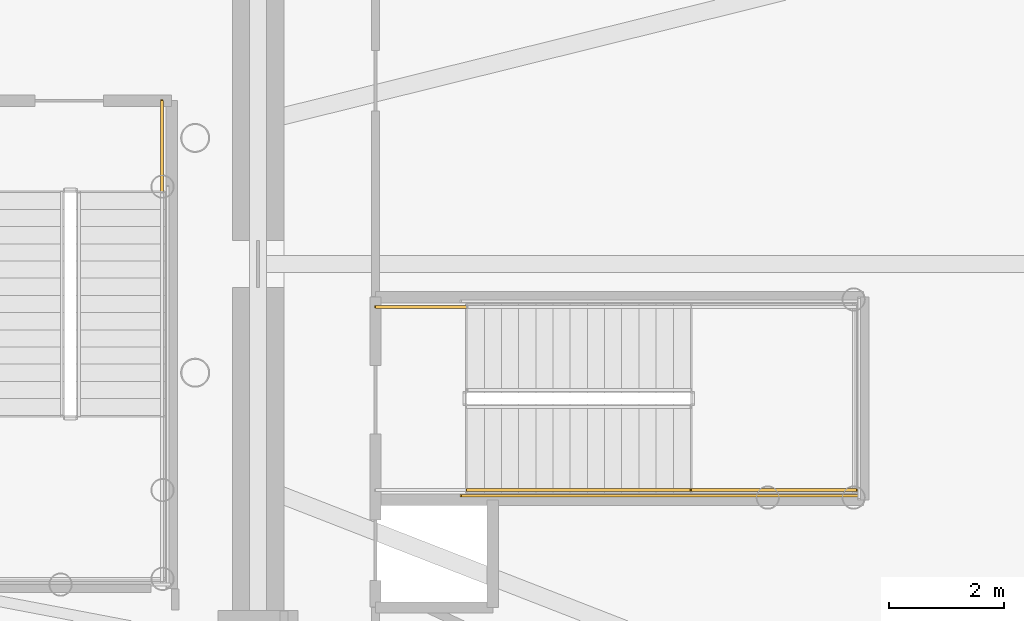
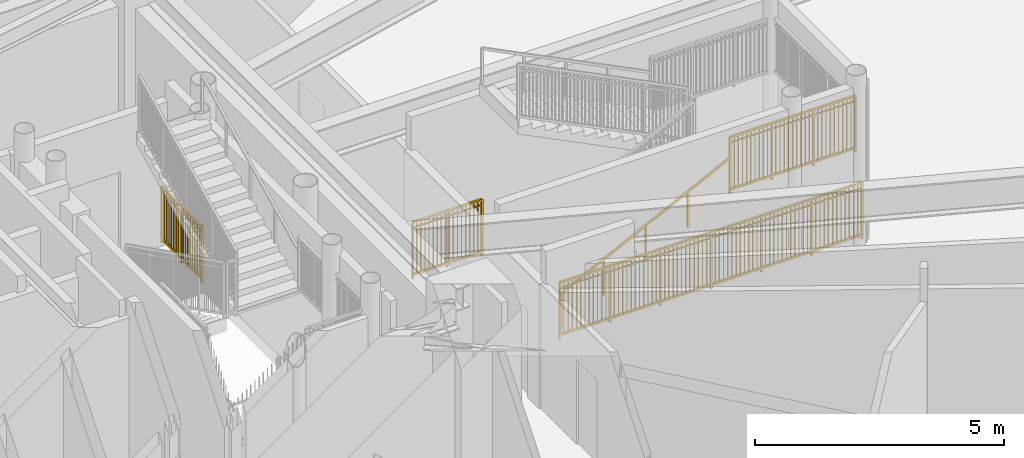
# One storey, part 25 of 27: 5 railings.
"""IFC4 building model written with IfcOpenShell, lengths in metres."""

from ifc_helpers import new_model, si_unit, direction, frame, origin, origin_2d, place, context, subcontext, project, spatial, rectangle, extrude, source, transform, mapped, material, type_object, element, save


model = new_model("IFC4")

# Units and contexts
model_context = context("Model", 3, precision=1e-05, world=origin(), true_north=direction((0.0, 1.0)))
body_context = subcontext(model_context, "Body", "Model", "MODEL_VIEW")
ifc_project = project(units=[si_unit("LENGTHUNIT", "METRE"), si_unit("AREAUNIT", "SQUARE_METRE"), si_unit("VOLUMEUNIT", "CUBIC_METRE"), si_unit("PLANEANGLEUNIT", "RADIAN"), si_unit("MASSUNIT", "GRAM", prefix="KILO")], contexts=[model_context])

# Site, building, storey
site_placement = place(None, origin())
site = spatial("IfcSite", under=ifc_project, at=site_placement, CompositionType="ELEMENT")
building_placement = place(site_placement, origin())
building = spatial("IfcBuilding", under=site, at=building_placement, Name="Linh Dai School and Residence Tower", CompositionType="ELEMENT")
storey_placement = place(building_placement, frame((0.0, 0.0, 18.60009765625)))
storey = spatial("IfcBuildingStorey", under=building, at=storey_placement, Name="L04", CompositionType="ELEMENT", Elevation=18.60009765625)

# Railings
ifc_material_1 = material(Name="Structural Steel S355JR", Category="steel")
railing_type_1 = type_object("IfcRailingType", Name="RL-ST-GUARD-1400", PredefinedType="GUARDRAIL", material=ifc_material_1)
shared_shape_1 = source(origin(), body_context, "Body", "SweptSolid", [
    extrude(rectangle(XDim=0.048095703125, YDim=0.048095703125, at=origin_2d()), frame((0.0, 0.0, 1.3759765625), z_axis=(0.0, -1.0, 0.0), x_axis=(1.0, 0.0, 0.0)), (0.0, 0.0, 1.0), 1.60009765625),
    extrude(rectangle(XDim=0.048095703125, YDim=0.048095703125, at=origin_2d()), frame((0.0, 0.0, 0.10009765625), z_axis=(0.0, -1.0, 0.0), x_axis=(1.0, 0.0, 0.0)), (0.0, 0.0, 1.0), 1.60009765625),
    extrude(rectangle(XDim=0.030029296875, YDim=0.030029296875, at=origin_2d()), frame((0.0, 0.0, 1.239990234375), z_axis=(0.0, -1.0, 0.0), x_axis=(1.0, 0.0, 0.0)), (0.0, 0.0, 1.0), 1.60009765625),
    extrude(rectangle(XDim=0.02001953125, YDim=0.02001953125, at=origin_2d()), frame((0.0, -0.09423828125, 0.10009765625)), (0.0, 0.0, 1.0), 1.251708984375),
    extrude(rectangle(XDim=0.02001953125, YDim=0.02001953125, at=origin_2d()), frame((0.0, -0.188232421875, 0.10009765625)), (0.0, 0.0, 1.0), 1.251708984375),
    extrude(rectangle(XDim=0.02001953125, YDim=0.02001953125, at=origin_2d()), frame((0.0, -0.282470703125, 0.10009765625)), (0.0, 0.0, 1.0), 1.251708984375),
    extrude(rectangle(XDim=0.02001953125, YDim=0.02001953125, at=origin_2d()), frame((0.0, -0.37646484375, 0.10009765625)), (0.0, 0.0, 1.0), 1.251708984375),
    extrude(rectangle(XDim=0.02001953125, YDim=0.02001953125, at=origin_2d()), frame((0.0, -0.470703125, 0.10009765625)), (0.0, 0.0, 1.0), 1.251708984375),
    extrude(rectangle(XDim=0.02001953125, YDim=0.02001953125, at=origin_2d()), frame((0.0, -0.564697265625, 0.10009765625)), (0.0, 0.0, 1.0), 1.251708984375),
    extrude(rectangle(XDim=0.02001953125, YDim=0.02001953125, at=origin_2d()), frame((0.0, -0.658935546875, 0.10009765625)), (0.0, 0.0, 1.0), 1.251708984375),
    extrude(rectangle(XDim=0.02001953125, YDim=0.02001953125, at=origin_2d()), frame((0.0, -0.7529296875, 0.10009765625)), (0.0, 0.0, 1.0), 1.251708984375),
    extrude(rectangle(XDim=0.02001953125, YDim=0.02001953125, at=origin_2d()), frame((0.0, -0.84716796875, 0.10009765625)), (0.0, 0.0, 1.0), 1.251708984375),
    extrude(rectangle(XDim=0.02001953125, YDim=0.02001953125, at=origin_2d()), frame((0.0, -0.941162109375, 0.10009765625)), (0.0, 0.0, 1.0), 1.251708984375),
    extrude(rectangle(XDim=0.02001953125, YDim=0.02001953125, at=origin_2d()), frame((0.0, -1.035400390625, 0.10009765625)), (0.0, 0.0, 1.0), 1.251708984375),
    extrude(rectangle(XDim=0.02001953125, YDim=0.02001953125, at=origin_2d()), frame((0.0, -1.12939453125, 0.10009765625)), (0.0, 0.0, 1.0), 1.251708984375),
    extrude(rectangle(XDim=0.02001953125, YDim=0.02001953125, at=origin_2d()), frame((0.0, -1.2236328125, 0.10009765625)), (0.0, 0.0, 1.0), 1.251708984375),
    extrude(rectangle(XDim=0.02001953125, YDim=0.02001953125, at=origin_2d()), frame((0.0, -1.317626953125, 0.10009765625)), (0.0, 0.0, 1.0), 1.251708984375),
    extrude(rectangle(XDim=0.02001953125, YDim=0.02001953125, at=origin_2d()), frame((0.0, -1.411865234375, 0.10009765625)), (0.0, 0.0, 1.0), 1.251708984375),
    extrude(rectangle(XDim=0.02001953125, YDim=0.02001953125, at=origin_2d()), frame((0.0, -1.505859375, 0.10009765625)), (0.0, 0.0, 1.0), 1.251708984375),
    extrude(rectangle(XDim=0.0419921875, YDim=0.0419921875, at=origin_2d()), origin(), (0.0, 0.0, 1.0), 1.3759765625),
    extrude(rectangle(XDim=0.0419921875, YDim=0.0419921875, at=origin_2d()), frame((0.0, -0.800048828125, 0.0)), (0.0, 0.0, 1.0), 1.3759765625),
    extrude(rectangle(XDim=0.0419921875, YDim=0.0419921875, at=origin_2d()), frame((0.0, -1.60009765625, 0.0)), (0.0, 0.0, 1.0), 1.3759765625),
])
railing_1_placement = place(storey_placement, frame((44.27001953125, 29.85009765625, 0.0)))
element("IfcRailing", 1, at=railing_1_placement, inside=storey, type_object=railing_type_1, Name="L04 ST2 stair guard 9", PredefinedType="GUARDRAIL", context=body_context, shape_type="MappedRepresentation", body=[
    mapped(shared_shape_1, transform((0.0, 0.0, 0.0), x_axis=(1.0, 0.0, 0.0), y_axis=(0.0, 1.0, 0.0), z_axis=(0.0, 0.0, 1.0), scale=1.0)),
])
ifc_material_2 = material(Name="Brushed Stainless Steel Handrail", Category="steel")
railing_type_2 = type_object("IfcRailingType", Name="RL-ST-HANDRAIL-900", PredefinedType="HANDRAIL", material=ifc_material_2)
shared_shape_2 = source(origin(), body_context, "Body", "SweptSolid", [
    extrude(rectangle(XDim=0.048095703125, YDim=0.048095703125, at=origin_2d()), frame((0.0, 0.0, 0.8759765625), z_axis=(0.894427191, 0.0, 0.4472135955), x_axis=(0.0, 1.0, 0.0)), (0.0, 0.0, 1.0), 4.360107421875),
    extrude(rectangle(XDim=0.0419921875, YDim=0.0419921875, at=origin_2d()), origin(), (0.0, 0.0, 1.0), 0.8759765625),
    extrude(rectangle(XDim=0.0419921875, YDim=0.0419921875, at=origin_2d()), frame((0.97509765625, 0.0, 0.487548828125)), (0.0, 0.0, 1.0), 0.8759765625),
    extrude(rectangle(XDim=0.0419921875, YDim=0.0419921875, at=origin_2d()), frame((1.949951171875, 0.0, 0.97509765625)), (0.0, 0.0, 1.0), 0.8759765625),
    extrude(rectangle(XDim=0.0419921875, YDim=0.0419921875, at=origin_2d()), frame((2.9248046875, 0.0, 1.46240234375)), (0.0, 0.0, 1.0), 0.8759765625),
    extrude(rectangle(XDim=0.0419921875, YDim=0.0419921875, at=origin_2d()), frame((3.89990234375, 0.0, 1.949951171875)), (0.0, 0.0, 1.0), 0.8759765625),
])
railing_2_placement = place(storey_placement, frame((49.60009765625, 23.050048828125, 0.14990234375)))
element("IfcRailing", 2, at=railing_2_placement, inside=storey, type_object=railing_type_2, Name="L04 STS2 stair handrail 1", PredefinedType="HANDRAIL", context=body_context, shape_type="MappedRepresentation", body=[
    mapped(shared_shape_2, transform((0.0, 0.0, 0.0), x_axis=(1.0, 0.0, 0.0), y_axis=(0.0, 1.0, 0.0), z_axis=(0.0, 0.0, 1.0), scale=1.0)),
])
shared_shape_3 = source(origin(), body_context, "Body", "SweptSolid", [
    extrude(rectangle(XDim=0.048095703125, YDim=0.048095703125, at=origin_2d()), frame((0.0, 0.0, 1.3759765625), z_axis=(1.0, 0.0, 0.0), x_axis=(0.0, 1.0, 0.0)), (0.0, 0.0, 1.0), 1.60009765625),
    extrude(rectangle(XDim=0.048095703125, YDim=0.048095703125, at=origin_2d()), frame((0.0, 0.0, 0.10009765625), z_axis=(1.0, 0.0, 0.0), x_axis=(0.0, 1.0, 0.0)), (0.0, 0.0, 1.0), 1.60009765625),
    extrude(rectangle(XDim=0.030029296875, YDim=0.030029296875, at=origin_2d()), frame((0.0, 0.0, 1.239990234375), z_axis=(1.0, 0.0, 0.0), x_axis=(0.0, 1.0, 0.0)), (0.0, 0.0, 1.0), 1.60009765625),
    extrude(rectangle(XDim=0.02001953125, YDim=0.02001953125, at=origin_2d()), frame((0.09423828125, 0.0, 0.10009765625)), (0.0, 0.0, 1.0), 1.251708984375),
    extrude(rectangle(XDim=0.02001953125, YDim=0.02001953125, at=origin_2d()), frame((0.188232421875, 0.0, 0.10009765625)), (0.0, 0.0, 1.0), 1.251708984375),
    extrude(rectangle(XDim=0.02001953125, YDim=0.02001953125, at=origin_2d()), frame((0.282470703125, 0.0, 0.10009765625)), (0.0, 0.0, 1.0), 1.251708984375),
    extrude(rectangle(XDim=0.02001953125, YDim=0.02001953125, at=origin_2d()), frame((0.37646484375, 0.0, 0.10009765625)), (0.0, 0.0, 1.0), 1.251708984375),
    extrude(rectangle(XDim=0.02001953125, YDim=0.02001953125, at=origin_2d()), frame((0.470703125, 0.0, 0.10009765625)), (0.0, 0.0, 1.0), 1.251708984375),
    extrude(rectangle(XDim=0.02001953125, YDim=0.02001953125, at=origin_2d()), frame((0.564697265625, 0.0, 0.10009765625)), (0.0, 0.0, 1.0), 1.251708984375),
    extrude(rectangle(XDim=0.02001953125, YDim=0.02001953125, at=origin_2d()), frame((0.658935546875, 0.0, 0.10009765625)), (0.0, 0.0, 1.0), 1.251708984375),
    extrude(rectangle(XDim=0.02001953125, YDim=0.02001953125, at=origin_2d()), frame((0.7529296875, 0.0, 0.10009765625)), (0.0, 0.0, 1.0), 1.251708984375),
    extrude(rectangle(XDim=0.02001953125, YDim=0.02001953125, at=origin_2d()), frame((0.84716796875, 0.0, 0.10009765625)), (0.0, 0.0, 1.0), 1.251708984375),
    extrude(rectangle(XDim=0.02001953125, YDim=0.02001953125, at=origin_2d()), frame((0.941162109375, 0.0, 0.10009765625)), (0.0, 0.0, 1.0), 1.251708984375),
    extrude(rectangle(XDim=0.02001953125, YDim=0.02001953125, at=origin_2d()), frame((1.035400390625, 0.0, 0.10009765625)), (0.0, 0.0, 1.0), 1.251708984375),
    extrude(rectangle(XDim=0.02001953125, YDim=0.02001953125, at=origin_2d()), frame((1.12939453125, 0.0, 0.10009765625)), (0.0, 0.0, 1.0), 1.251708984375),
    extrude(rectangle(XDim=0.02001953125, YDim=0.02001953125, at=origin_2d()), frame((1.2236328125, 0.0, 0.10009765625)), (0.0, 0.0, 1.0), 1.251708984375),
    extrude(rectangle(XDim=0.02001953125, YDim=0.02001953125, at=origin_2d()), frame((1.317626953125, 0.0, 0.10009765625)), (0.0, 0.0, 1.0), 1.251708984375),
    extrude(rectangle(XDim=0.02001953125, YDim=0.02001953125, at=origin_2d()), frame((1.411865234375, 0.0, 0.10009765625)), (0.0, 0.0, 1.0), 1.251708984375),
    extrude(rectangle(XDim=0.02001953125, YDim=0.02001953125, at=origin_2d()), frame((1.505859375, 0.0, 0.10009765625)), (0.0, 0.0, 1.0), 1.251708984375),
    extrude(rectangle(XDim=0.0419921875, YDim=0.0419921875, at=origin_2d()), origin(), (0.0, 0.0, 1.0), 1.3759765625),
    extrude(rectangle(XDim=0.0419921875, YDim=0.0419921875, at=origin_2d()), frame((0.800048828125, 0.0, 0.0)), (0.0, 0.0, 1.0), 1.3759765625),
    extrude(rectangle(XDim=0.0419921875, YDim=0.0419921875, at=origin_2d()), frame((1.60009765625, 0.0, 0.0)), (0.0, 0.0, 1.0), 1.3759765625),
])
railing_3_placement = place(storey_placement, frame((48.0, 26.25, 0.0)))
element("IfcRailing", 3, at=railing_3_placement, inside=storey, type_object=railing_type_1, Name="L04 STS2 stair guard 9", PredefinedType="GUARDRAIL", context=body_context, shape_type="MappedRepresentation", body=[
    mapped(shared_shape_3, transform((0.0, 0.0, 0.0), x_axis=(1.0, 0.0, 0.0), y_axis=(0.0, 1.0, 0.0), z_axis=(0.0, 0.0, 1.0), scale=1.0)),
])
shared_shape_4 = source(origin(), body_context, "Body", "SweptSolid", [
    extrude(rectangle(XDim=0.048095703125, YDim=0.048095703125, at=origin_2d()), frame((0.0, 0.0, 1.3759765625), z_axis=(1.0, 0.0, 0.0), x_axis=(0.0, 1.0, 0.0)), (0.0, 0.0, 1.0), 2.89990234375),
    extrude(rectangle(XDim=0.048095703125, YDim=0.048095703125, at=origin_2d()), frame((0.0, 0.0, 0.10009765625), z_axis=(1.0, 0.0, 0.0), x_axis=(0.0, 1.0, 0.0)), (0.0, 0.0, 1.0), 2.89990234375),
    extrude(rectangle(XDim=0.030029296875, YDim=0.030029296875, at=origin_2d()), frame((0.0, 0.0, 1.239990234375), z_axis=(1.0, 0.0, 0.0), x_axis=(0.0, 1.0, 0.0)), (0.0, 0.0, 1.0), 2.89990234375),
    extrude(rectangle(XDim=0.02001953125, YDim=0.02001953125, at=origin_2d()), frame((0.0966796875, 0.0, 0.10009765625)), (0.0, 0.0, 1.0), 1.251708984375),
    extrude(rectangle(XDim=0.02001953125, YDim=0.02001953125, at=origin_2d()), frame((0.193359375, 0.0, 0.10009765625)), (0.0, 0.0, 1.0), 1.251708984375),
    extrude(rectangle(XDim=0.02001953125, YDim=0.02001953125, at=origin_2d()), frame((0.2900390625, 0.0, 0.10009765625)), (0.0, 0.0, 1.0), 1.251708984375),
    extrude(rectangle(XDim=0.02001953125, YDim=0.02001953125, at=origin_2d()), frame((0.38671875, 0.0, 0.10009765625)), (0.0, 0.0, 1.0), 1.251708984375),
    extrude(rectangle(XDim=0.02001953125, YDim=0.02001953125, at=origin_2d()), frame((0.4833984375, 0.0, 0.10009765625)), (0.0, 0.0, 1.0), 1.251708984375),
    extrude(rectangle(XDim=0.02001953125, YDim=0.02001953125, at=origin_2d()), frame((0.580078125, 0.0, 0.10009765625)), (0.0, 0.0, 1.0), 1.251708984375),
    extrude(rectangle(XDim=0.02001953125, YDim=0.02001953125, at=origin_2d()), frame((0.6767578125, 0.0, 0.10009765625)), (0.0, 0.0, 1.0), 1.251708984375),
    extrude(rectangle(XDim=0.02001953125, YDim=0.02001953125, at=origin_2d()), frame((0.773193359375, 0.0, 0.10009765625)), (0.0, 0.0, 1.0), 1.251708984375),
    extrude(rectangle(XDim=0.02001953125, YDim=0.02001953125, at=origin_2d()), frame((0.869873046875, 0.0, 0.10009765625)), (0.0, 0.0, 1.0), 1.251708984375),
    extrude(rectangle(XDim=0.02001953125, YDim=0.02001953125, at=origin_2d()), frame((1.063232421875, 0.0, 0.10009765625)), (0.0, 0.0, 1.0), 1.251708984375),
    extrude(rectangle(XDim=0.02001953125, YDim=0.02001953125, at=origin_2d()), frame((1.159912109375, 0.0, 0.10009765625)), (0.0, 0.0, 1.0), 1.251708984375),
    extrude(rectangle(XDim=0.02001953125, YDim=0.02001953125, at=origin_2d()), frame((1.256591796875, 0.0, 0.10009765625)), (0.0, 0.0, 1.0), 1.251708984375),
    extrude(rectangle(XDim=0.02001953125, YDim=0.02001953125, at=origin_2d()), frame((1.353271484375, 0.0, 0.10009765625)), (0.0, 0.0, 1.0), 1.251708984375),
    extrude(rectangle(XDim=0.02001953125, YDim=0.02001953125, at=origin_2d()), frame((1.449951171875, 0.0, 0.10009765625)), (0.0, 0.0, 1.0), 1.251708984375),
    extrude(rectangle(XDim=0.02001953125, YDim=0.02001953125, at=origin_2d()), frame((1.546630859375, 0.0, 0.10009765625)), (0.0, 0.0, 1.0), 1.251708984375),
    extrude(rectangle(XDim=0.02001953125, YDim=0.02001953125, at=origin_2d()), frame((1.643310546875, 0.0, 0.10009765625)), (0.0, 0.0, 1.0), 1.251708984375),
    extrude(rectangle(XDim=0.02001953125, YDim=0.02001953125, at=origin_2d()), frame((1.739990234375, 0.0, 0.10009765625)), (0.0, 0.0, 1.0), 1.251708984375),
    extrude(rectangle(XDim=0.02001953125, YDim=0.02001953125, at=origin_2d()), frame((1.836669921875, 0.0, 0.10009765625)), (0.0, 0.0, 1.0), 1.251708984375),
    extrude(rectangle(XDim=0.02001953125, YDim=0.02001953125, at=origin_2d()), frame((2.030029296875, 0.0, 0.10009765625)), (0.0, 0.0, 1.0), 1.251708984375),
    extrude(rectangle(XDim=0.02001953125, YDim=0.02001953125, at=origin_2d()), frame((2.126708984375, 0.0, 0.10009765625)), (0.0, 0.0, 1.0), 1.251708984375),
    extrude(rectangle(XDim=0.02001953125, YDim=0.02001953125, at=origin_2d()), frame((2.22314453125, 0.0, 0.10009765625)), (0.0, 0.0, 1.0), 1.251708984375),
    extrude(rectangle(XDim=0.02001953125, YDim=0.02001953125, at=origin_2d()), frame((2.31982421875, 0.0, 0.10009765625)), (0.0, 0.0, 1.0), 1.251708984375),
    extrude(rectangle(XDim=0.02001953125, YDim=0.02001953125, at=origin_2d()), frame((2.41650390625, 0.0, 0.10009765625)), (0.0, 0.0, 1.0), 1.251708984375),
    extrude(rectangle(XDim=0.02001953125, YDim=0.02001953125, at=origin_2d()), frame((2.51318359375, 0.0, 0.10009765625)), (0.0, 0.0, 1.0), 1.251708984375),
    extrude(rectangle(XDim=0.02001953125, YDim=0.02001953125, at=origin_2d()), frame((2.60986328125, 0.0, 0.10009765625)), (0.0, 0.0, 1.0), 1.251708984375),
    extrude(rectangle(XDim=0.02001953125, YDim=0.02001953125, at=origin_2d()), frame((2.70654296875, 0.0, 0.10009765625)), (0.0, 0.0, 1.0), 1.251708984375),
    extrude(rectangle(XDim=0.02001953125, YDim=0.02001953125, at=origin_2d()), frame((2.80322265625, 0.0, 0.10009765625)), (0.0, 0.0, 1.0), 1.251708984375),
    extrude(rectangle(XDim=0.0419921875, YDim=0.0419921875, at=origin_2d()), origin(), (0.0, 0.0, 1.0), 1.3759765625),
    extrude(rectangle(XDim=0.0419921875, YDim=0.0419921875, at=origin_2d()), frame((0.966552734375, 0.0, 0.0)), (0.0, 0.0, 1.0), 1.3759765625),
    extrude(rectangle(XDim=0.0419921875, YDim=0.0419921875, at=origin_2d()), frame((1.933349609375, 0.0, 0.0)), (0.0, 0.0, 1.0), 1.3759765625),
    extrude(rectangle(XDim=0.0419921875, YDim=0.0419921875, at=origin_2d()), frame((2.89990234375, 0.0, 0.0)), (0.0, 0.0, 1.0), 1.3759765625),
])
railing_4_placement = place(storey_placement, frame((53.5, 23.050048828125, 2.099853515625)))
element("IfcRailing", 4, at=railing_4_placement, inside=storey, type_object=railing_type_1, Name="L04 STS2 stair guard 3", PredefinedType="GUARDRAIL", context=body_context, shape_type="MappedRepresentation", body=[
    mapped(shared_shape_4, transform((0.0, 0.0, 0.0), x_axis=(1.0, 0.0, 0.0), y_axis=(0.0, 1.0, 0.0), z_axis=(0.0, 0.0, 1.0), scale=1.0)),
])
shared_shape_5 = source(origin(), body_context, "Body", "SweptSolid", [
    extrude(rectangle(XDim=0.048095703125, YDim=0.048095703125, at=origin_2d()), frame((0.0, 0.0, 1.3759765625), z_axis=(1.0, 0.0, 0.0), x_axis=(0.0, 1.0, 0.0)), (0.0, 0.0, 1.0), 7.0),
    extrude(rectangle(XDim=0.048095703125, YDim=0.048095703125, at=origin_2d()), frame((0.0, 0.0, 0.10009765625), z_axis=(1.0, 0.0, 0.0), x_axis=(0.0, 1.0, 0.0)), (0.0, 0.0, 1.0), 7.0),
    extrude(rectangle(XDim=0.030029296875, YDim=0.030029296875, at=origin_2d()), frame((0.0, 0.0, 1.239990234375), z_axis=(1.0, 0.0, 0.0), x_axis=(0.0, 1.0, 0.0)), (0.0, 0.0, 1.0), 7.0),
    extrude(rectangle(XDim=0.02001953125, YDim=0.02001953125, at=origin_2d()), frame((0.09716796875, 0.0, 0.10009765625)), (0.0, 0.0, 1.0), 1.251708984375),
    extrude(rectangle(XDim=0.02001953125, YDim=0.02001953125, at=origin_2d()), frame((0.1943359375, 0.0, 0.10009765625)), (0.0, 0.0, 1.0), 1.251708984375),
    extrude(rectangle(XDim=0.02001953125, YDim=0.02001953125, at=origin_2d()), frame((0.291748046875, 0.0, 0.10009765625)), (0.0, 0.0, 1.0), 1.251708984375),
    extrude(rectangle(XDim=0.02001953125, YDim=0.02001953125, at=origin_2d()), frame((0.388916015625, 0.0, 0.10009765625)), (0.0, 0.0, 1.0), 1.251708984375),
    extrude(rectangle(XDim=0.02001953125, YDim=0.02001953125, at=origin_2d()), frame((0.486083984375, 0.0, 0.10009765625)), (0.0, 0.0, 1.0), 1.251708984375),
    extrude(rectangle(XDim=0.02001953125, YDim=0.02001953125, at=origin_2d()), frame((0.583251953125, 0.0, 0.10009765625)), (0.0, 0.0, 1.0), 1.251708984375),
    extrude(rectangle(XDim=0.02001953125, YDim=0.02001953125, at=origin_2d()), frame((0.6806640625, 0.0, 0.10009765625)), (0.0, 0.0, 1.0), 1.251708984375),
    extrude(rectangle(XDim=0.02001953125, YDim=0.02001953125, at=origin_2d()), frame((0.77783203125, 0.0, 0.10009765625)), (0.0, 0.0, 1.0), 1.251708984375),
    extrude(rectangle(XDim=0.02001953125, YDim=0.02001953125, at=origin_2d()), frame((0.875, 0.0, 0.10009765625)), (0.0, 0.0, 1.0), 1.251708984375),
    extrude(rectangle(XDim=0.02001953125, YDim=0.02001953125, at=origin_2d()), frame((0.97216796875, 0.0, 0.10009765625)), (0.0, 0.0, 1.0), 1.251708984375),
    extrude(rectangle(XDim=0.02001953125, YDim=0.02001953125, at=origin_2d()), frame((1.0693359375, 0.0, 0.10009765625)), (0.0, 0.0, 1.0), 1.251708984375),
    extrude(rectangle(XDim=0.02001953125, YDim=0.02001953125, at=origin_2d()), frame((1.263916015625, 0.0, 0.10009765625)), (0.0, 0.0, 1.0), 1.251708984375),
    extrude(rectangle(XDim=0.02001953125, YDim=0.02001953125, at=origin_2d()), frame((1.361083984375, 0.0, 0.10009765625)), (0.0, 0.0, 1.0), 1.251708984375),
    extrude(rectangle(XDim=0.02001953125, YDim=0.02001953125, at=origin_2d()), frame((1.458251953125, 0.0, 0.10009765625)), (0.0, 0.0, 1.0), 1.251708984375),
    extrude(rectangle(XDim=0.02001953125, YDim=0.02001953125, at=origin_2d()), frame((1.5556640625, 0.0, 0.10009765625)), (0.0, 0.0, 1.0), 1.251708984375),
    extrude(rectangle(XDim=0.02001953125, YDim=0.02001953125, at=origin_2d()), frame((1.65283203125, 0.0, 0.10009765625)), (0.0, 0.0, 1.0), 1.251708984375),
    extrude(rectangle(XDim=0.02001953125, YDim=0.02001953125, at=origin_2d()), frame((1.75, 0.0, 0.10009765625)), (0.0, 0.0, 1.0), 1.251708984375),
    extrude(rectangle(XDim=0.02001953125, YDim=0.02001953125, at=origin_2d()), frame((1.84716796875, 0.0, 0.10009765625)), (0.0, 0.0, 1.0), 1.251708984375),
    extrude(rectangle(XDim=0.02001953125, YDim=0.02001953125, at=origin_2d()), frame((1.9443359375, 0.0, 0.10009765625)), (0.0, 0.0, 1.0), 1.251708984375),
    extrude(rectangle(XDim=0.02001953125, YDim=0.02001953125, at=origin_2d()), frame((2.041748046875, 0.0, 0.10009765625)), (0.0, 0.0, 1.0), 1.251708984375),
    extrude(rectangle(XDim=0.02001953125, YDim=0.02001953125, at=origin_2d()), frame((2.138916015625, 0.0, 0.10009765625)), (0.0, 0.0, 1.0), 1.251708984375),
    extrude(rectangle(XDim=0.02001953125, YDim=0.02001953125, at=origin_2d()), frame((2.236083984375, 0.0, 0.10009765625)), (0.0, 0.0, 1.0), 1.251708984375),
    extrude(rectangle(XDim=0.02001953125, YDim=0.02001953125, at=origin_2d()), frame((2.4306640625, 0.0, 0.10009765625)), (0.0, 0.0, 1.0), 1.251708984375),
    extrude(rectangle(XDim=0.02001953125, YDim=0.02001953125, at=origin_2d()), frame((2.52783203125, 0.0, 0.10009765625)), (0.0, 0.0, 1.0), 1.251708984375),
    extrude(rectangle(XDim=0.02001953125, YDim=0.02001953125, at=origin_2d()), frame((2.625, 0.0, 0.10009765625)), (0.0, 0.0, 1.0), 1.251708984375),
    extrude(rectangle(XDim=0.02001953125, YDim=0.02001953125, at=origin_2d()), frame((2.72216796875, 0.0, 0.10009765625)), (0.0, 0.0, 1.0), 1.251708984375),
    extrude(rectangle(XDim=0.02001953125, YDim=0.02001953125, at=origin_2d()), frame((2.8193359375, 0.0, 0.10009765625)), (0.0, 0.0, 1.0), 1.251708984375),
    extrude(rectangle(XDim=0.02001953125, YDim=0.02001953125, at=origin_2d()), frame((2.916748046875, 0.0, 0.10009765625)), (0.0, 0.0, 1.0), 1.251708984375),
    extrude(rectangle(XDim=0.02001953125, YDim=0.02001953125, at=origin_2d()), frame((3.013916015625, 0.0, 0.10009765625)), (0.0, 0.0, 1.0), 1.251708984375),
    extrude(rectangle(XDim=0.02001953125, YDim=0.02001953125, at=origin_2d()), frame((3.111083984375, 0.0, 0.10009765625)), (0.0, 0.0, 1.0), 1.251708984375),
    extrude(rectangle(XDim=0.02001953125, YDim=0.02001953125, at=origin_2d()), frame((3.208251953125, 0.0, 0.10009765625)), (0.0, 0.0, 1.0), 1.251708984375),
    extrude(rectangle(XDim=0.02001953125, YDim=0.02001953125, at=origin_2d()), frame((3.3056640625, 0.0, 0.10009765625)), (0.0, 0.0, 1.0), 1.251708984375),
    extrude(rectangle(XDim=0.02001953125, YDim=0.02001953125, at=origin_2d()), frame((3.40283203125, 0.0, 0.10009765625)), (0.0, 0.0, 1.0), 1.251708984375),
    extrude(rectangle(XDim=0.02001953125, YDim=0.02001953125, at=origin_2d()), frame((3.59716796875, 0.0, 0.10009765625)), (0.0, 0.0, 1.0), 1.251708984375),
    extrude(rectangle(XDim=0.02001953125, YDim=0.02001953125, at=origin_2d()), frame((3.6943359375, 0.0, 0.10009765625)), (0.0, 0.0, 1.0), 1.251708984375),
    extrude(rectangle(XDim=0.02001953125, YDim=0.02001953125, at=origin_2d()), frame((3.791748046875, 0.0, 0.10009765625)), (0.0, 0.0, 1.0), 1.251708984375),
    extrude(rectangle(XDim=0.02001953125, YDim=0.02001953125, at=origin_2d()), frame((3.888916015625, 0.0, 0.10009765625)), (0.0, 0.0, 1.0), 1.251708984375),
    extrude(rectangle(XDim=0.02001953125, YDim=0.02001953125, at=origin_2d()), frame((3.986083984375, 0.0, 0.10009765625)), (0.0, 0.0, 1.0), 1.251708984375),
    extrude(rectangle(XDim=0.02001953125, YDim=0.02001953125, at=origin_2d()), frame((4.083251953125, 0.0, 0.10009765625)), (0.0, 0.0, 1.0), 1.251708984375),
    extrude(rectangle(XDim=0.02001953125, YDim=0.02001953125, at=origin_2d()), frame((4.1806640625, 0.0, 0.10009765625)), (0.0, 0.0, 1.0), 1.251708984375),
    extrude(rectangle(XDim=0.02001953125, YDim=0.02001953125, at=origin_2d()), frame((4.27783203125, 0.0, 0.10009765625)), (0.0, 0.0, 1.0), 1.251708984375),
    extrude(rectangle(XDim=0.02001953125, YDim=0.02001953125, at=origin_2d()), frame((4.375, 0.0, 0.10009765625)), (0.0, 0.0, 1.0), 1.251708984375),
    extrude(rectangle(XDim=0.02001953125, YDim=0.02001953125, at=origin_2d()), frame((4.47216796875, 0.0, 0.10009765625)), (0.0, 0.0, 1.0), 1.251708984375),
    extrude(rectangle(XDim=0.02001953125, YDim=0.02001953125, at=origin_2d()), frame((4.5693359375, 0.0, 0.10009765625)), (0.0, 0.0, 1.0), 1.251708984375),
    extrude(rectangle(XDim=0.02001953125, YDim=0.02001953125, at=origin_2d()), frame((4.763916015625, 0.0, 0.10009765625)), (0.0, 0.0, 1.0), 1.251708984375),
    extrude(rectangle(XDim=0.02001953125, YDim=0.02001953125, at=origin_2d()), frame((4.861083984375, 0.0, 0.10009765625)), (0.0, 0.0, 1.0), 1.251708984375),
    extrude(rectangle(XDim=0.02001953125, YDim=0.02001953125, at=origin_2d()), frame((4.958251953125, 0.0, 0.10009765625)), (0.0, 0.0, 1.0), 1.251708984375),
    extrude(rectangle(XDim=0.02001953125, YDim=0.02001953125, at=origin_2d()), frame((5.0556640625, 0.0, 0.10009765625)), (0.0, 0.0, 1.0), 1.251708984375),
    extrude(rectangle(XDim=0.02001953125, YDim=0.02001953125, at=origin_2d()), frame((5.15283203125, 0.0, 0.10009765625)), (0.0, 0.0, 1.0), 1.251708984375),
    extrude(rectangle(XDim=0.02001953125, YDim=0.02001953125, at=origin_2d()), frame((5.25, 0.0, 0.10009765625)), (0.0, 0.0, 1.0), 1.251708984375),
    extrude(rectangle(XDim=0.02001953125, YDim=0.02001953125, at=origin_2d()), frame((5.34716796875, 0.0, 0.10009765625)), (0.0, 0.0, 1.0), 1.251708984375),
    extrude(rectangle(XDim=0.02001953125, YDim=0.02001953125, at=origin_2d()), frame((5.4443359375, 0.0, 0.10009765625)), (0.0, 0.0, 1.0), 1.251708984375),
    extrude(rectangle(XDim=0.02001953125, YDim=0.02001953125, at=origin_2d()), frame((5.541748046875, 0.0, 0.10009765625)), (0.0, 0.0, 1.0), 1.251708984375),
    extrude(rectangle(XDim=0.02001953125, YDim=0.02001953125, at=origin_2d()), frame((5.638916015625, 0.0, 0.10009765625)), (0.0, 0.0, 1.0), 1.251708984375),
    extrude(rectangle(XDim=0.02001953125, YDim=0.02001953125, at=origin_2d()), frame((5.736083984375, 0.0, 0.10009765625)), (0.0, 0.0, 1.0), 1.251708984375),
    extrude(rectangle(XDim=0.02001953125, YDim=0.02001953125, at=origin_2d()), frame((5.9306640625, 0.0, 0.10009765625)), (0.0, 0.0, 1.0), 1.251708984375),
    extrude(rectangle(XDim=0.02001953125, YDim=0.02001953125, at=origin_2d()), frame((6.02783203125, 0.0, 0.10009765625)), (0.0, 0.0, 1.0), 1.251708984375),
    extrude(rectangle(XDim=0.02001953125, YDim=0.02001953125, at=origin_2d()), frame((6.125, 0.0, 0.10009765625)), (0.0, 0.0, 1.0), 1.251708984375),
    extrude(rectangle(XDim=0.02001953125, YDim=0.02001953125, at=origin_2d()), frame((6.22216796875, 0.0, 0.10009765625)), (0.0, 0.0, 1.0), 1.251708984375),
    extrude(rectangle(XDim=0.02001953125, YDim=0.02001953125, at=origin_2d()), frame((6.3193359375, 0.0, 0.10009765625)), (0.0, 0.0, 1.0), 1.251708984375),
    extrude(rectangle(XDim=0.02001953125, YDim=0.02001953125, at=origin_2d()), frame((6.416748046875, 0.0, 0.10009765625)), (0.0, 0.0, 1.0), 1.251708984375),
    extrude(rectangle(XDim=0.02001953125, YDim=0.02001953125, at=origin_2d()), frame((6.513916015625, 0.0, 0.10009765625)), (0.0, 0.0, 1.0), 1.251708984375),
    extrude(rectangle(XDim=0.02001953125, YDim=0.02001953125, at=origin_2d()), frame((6.611083984375, 0.0, 0.10009765625)), (0.0, 0.0, 1.0), 1.251708984375),
    extrude(rectangle(XDim=0.02001953125, YDim=0.02001953125, at=origin_2d()), frame((6.708251953125, 0.0, 0.10009765625)), (0.0, 0.0, 1.0), 1.251708984375),
    extrude(rectangle(XDim=0.02001953125, YDim=0.02001953125, at=origin_2d()), frame((6.8056640625, 0.0, 0.10009765625)), (0.0, 0.0, 1.0), 1.251708984375),
    extrude(rectangle(XDim=0.02001953125, YDim=0.02001953125, at=origin_2d()), frame((6.90283203125, 0.0, 0.10009765625)), (0.0, 0.0, 1.0), 1.251708984375),
    extrude(rectangle(XDim=0.0419921875, YDim=0.0419921875, at=origin_2d()), origin(), (0.0, 0.0, 1.0), 1.3759765625),
    extrude(rectangle(XDim=0.0419921875, YDim=0.0419921875, at=origin_2d()), frame((1.166748046875, 0.0, 0.0)), (0.0, 0.0, 1.0), 1.3759765625),
    extrude(rectangle(XDim=0.0419921875, YDim=0.0419921875, at=origin_2d()), frame((2.333251953125, 0.0, 0.0)), (0.0, 0.0, 1.0), 1.3759765625),
    extrude(rectangle(XDim=0.0419921875, YDim=0.0419921875, at=origin_2d()), frame((3.5, 0.0, 0.0)), (0.0, 0.0, 1.0), 1.3759765625),
    extrude(rectangle(XDim=0.0419921875, YDim=0.0419921875, at=origin_2d()), frame((4.666748046875, 0.0, 0.0)), (0.0, 0.0, 1.0), 1.3759765625),
    extrude(rectangle(XDim=0.0419921875, YDim=0.0419921875, at=origin_2d()), frame((5.833251953125, 0.0, 0.0)), (0.0, 0.0, 1.0), 1.3759765625),
    extrude(rectangle(XDim=0.0419921875, YDim=0.0419921875, at=origin_2d()), frame((7.0, 0.0, 0.0)), (0.0, 0.0, 1.0), 1.3759765625),
])
railing_5_placement = place(storey_placement, frame((49.5, 22.949951171875, 0.0)))
element("IfcRailing", 5, at=railing_5_placement, inside=storey, type_object=railing_type_1, Name="L04 STS2 stair guard 10", PredefinedType="GUARDRAIL", context=body_context, shape_type="MappedRepresentation", body=[
    mapped(shared_shape_5, transform((0.0, 0.0, 0.0), x_axis=(1.0, 0.0, 0.0), y_axis=(0.0, 1.0, 0.0), z_axis=(0.0, 0.0, 1.0), scale=1.0)),
])

save(model, "model.ifc")
